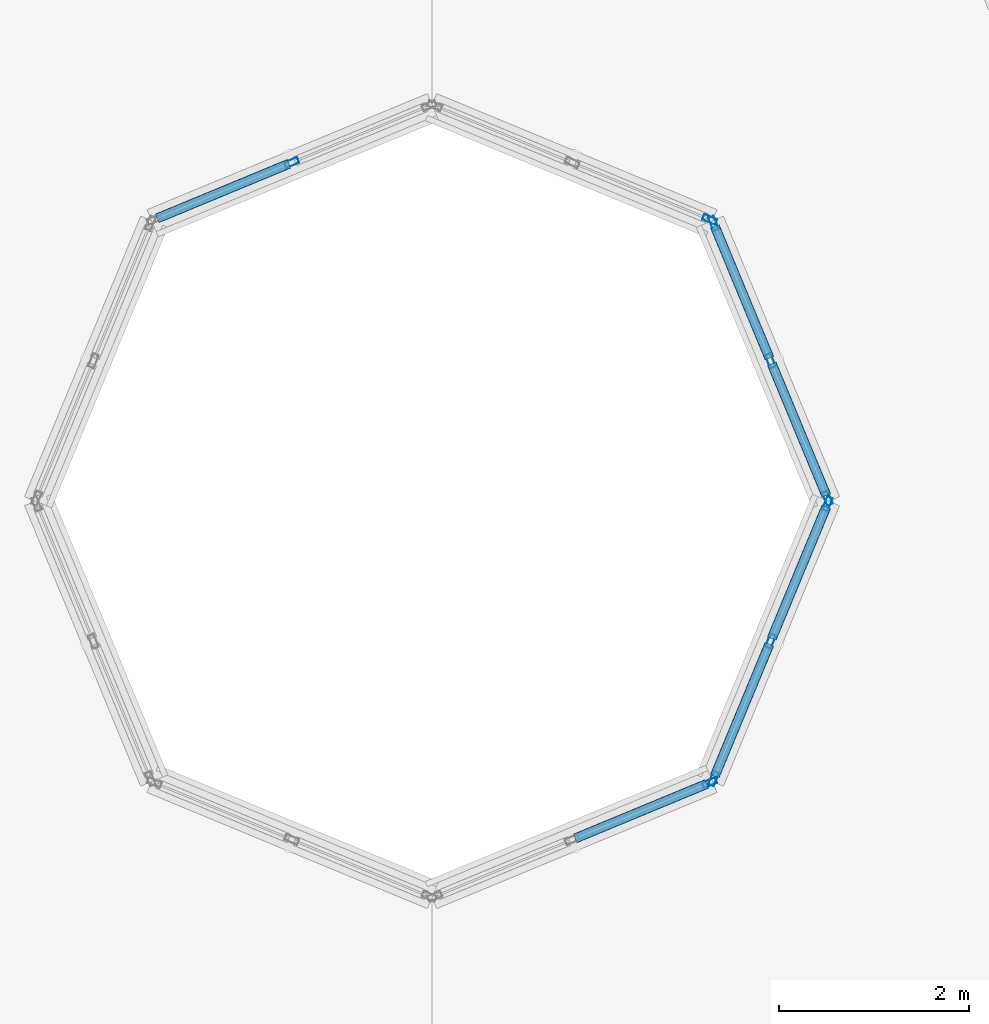
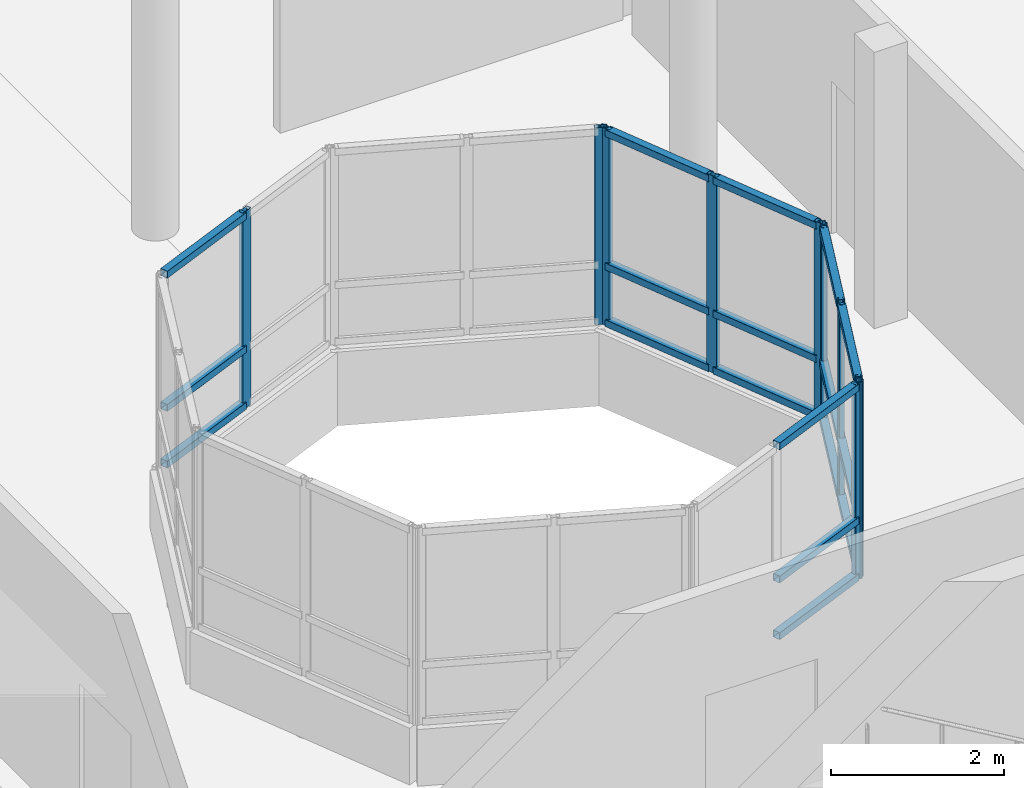
# One storey, part 70 of 121: 27 members, 5 elements without a shape of their own.
"""IFC4 building model written with IfcOpenShell, lengths in metres."""

from ifc_helpers import new_model, si_unit, direction, frame, origin, origin_2d, place, context, subcontext, project, spatial, hollow_rectangle, extrude, material, layer, layer_set, material_profile, profile_set, type_object, element, aggregate, save


model = new_model("IFC4")

# Units and contexts
model_context = context("Model", 3, precision=1e-05, world=origin(), true_north=direction((0.0, 1.0)))
body_context = subcontext(model_context, "Body", "Model", "MODEL_VIEW")
ifc_project = project(units=[si_unit("LENGTHUNIT", "METRE"), si_unit("AREAUNIT", "SQUARE_METRE"), si_unit("VOLUMEUNIT", "CUBIC_METRE"), si_unit("PLANEANGLEUNIT", "RADIAN"), si_unit("MASSUNIT", "GRAM", prefix="KILO")], contexts=[model_context])

# Site, building, storey
site_placement = place(None, origin())
site = spatial("IfcSite", under=ifc_project, at=site_placement, CompositionType="ELEMENT")
building_placement = place(site_placement, origin())
building = spatial("IfcBuilding", under=site, at=building_placement, Name="Vespera Passage Community Centre", CompositionType="ELEMENT")
storey_placement = place(building_placement, frame((0.0, 0.0, 8.699951171875)))
storey = spatial("IfcBuildingStorey", under=building, at=storey_placement, Name="L02", CompositionType="ELEMENT", Elevation=8.699951171875)

# Curtain wall, members
ifc_material_1 = material(Name="Anodized aluminium 6063-T6", Category="aluminium")
ifc_layer = layer(ifc_material_1, 0.159912109375)
ifc_layer_set = layer_set([ifc_layer], Name="Anodized aluminium 6063-T6")
curtain_wall_type = type_object("IfcCurtainWallType", Name="CW-110E", PredefinedType="NOTDEFINED", material=ifc_layer_set)
curtain_wall_1_placement = place(storey_placement, origin())
curtain_wall_1 = element("IfcCurtainWall", 1, at=curtain_wall_1_placement, inside=storey, type_object=curtain_wall_type, Name="V3 L02 Inner Court Ribbon Curtain Wall 1", PredefinedType="NOTDEFINED")
ifc_material_2 = material(Name="Anodized aluminium 6063-T6", Category="aluminium")
ifc_material_profile_1 = material_profile(ifc_material_2, hollow_rectangle(XDim=0.06494140625, YDim=0.14990234375, WallThickness=0.00390625, InnerFilletRadius=0.001953125, OuterFilletRadius=0.00390625, at=origin_2d()), Name="ALU150X65X4")
ifc_profile_set_1 = profile_set([ifc_material_profile_1], Name="Anodized aluminium 6063-T6")
member_type_1 = type_object("IfcMemberType", Name="MB-CWM-150E", PredefinedType="MULLION", material=ifc_profile_set_1)
member_1_placement = place(storey_placement, frame((145.16748046875, 25.030029296875, 0.800048828125), z_axis=(0.0, 0.0, 1.0), x_axis=(-0.923878540804, -0.382685826549, 0.0)))
member_1 = element("IfcMember", 2, at=member_1_placement, type_object=member_type_1, Name="CW-110E mullion 1", PredefinedType="MULLION", context=body_context, shape_type="SweptSolid", body=[
    extrude(hollow_rectangle(XDim=0.06494140625, YDim=0.14990234375, WallThickness=0.00390625, InnerFilletRadius=0.001953125, OuterFilletRadius=0.00390625, at=origin_2d()), origin(), (0.0, 0.0, 1.0), 2.780029296875),
])
member_2_placement = place(storey_placement, frame((144.56787109375, 26.477783203125, 0.800048828125), z_axis=(0.0, 0.0, 1.0), x_axis=(-0.923878540804, -0.382685826549, 0.0)))
member_2 = element("IfcMember", 3, at=member_2_placement, type_object=member_type_1, Name="CW-110E mullion 2", PredefinedType="MULLION", context=body_context, shape_type="SweptSolid", body=[
    extrude(hollow_rectangle(XDim=0.06494140625, YDim=0.14990234375, WallThickness=0.00390625, InnerFilletRadius=0.001953125, OuterFilletRadius=0.00390625, at=origin_2d()), origin(), (0.0, 0.0, 1.0), 2.780029296875),
])
member_3_placement = place(storey_placement, frame((143.968017578125, 27.92578125, 0.800048828125), z_axis=(0.0, 0.0, 1.0), x_axis=(-0.923878540804, -0.382685826549, 0.0)))
member_3 = element("IfcMember", 4, at=member_3_placement, type_object=member_type_1, Name="CW-110E mullion 3", PredefinedType="MULLION", context=body_context, shape_type="SweptSolid", body=[
    extrude(hollow_rectangle(XDim=0.06494140625, YDim=0.14990234375, WallThickness=0.00390625, InnerFilletRadius=0.001953125, OuterFilletRadius=0.00390625, at=origin_2d()), origin(), (0.0, 0.0, 1.0), 2.780029296875),
])

# Curtain wall, member
curtain_wall_2_placement = place(storey_placement, origin())
curtain_wall_2 = element("IfcCurtainWall", 5, at=curtain_wall_2_placement, inside=storey, type_object=curtain_wall_type, Name="V3 L02 Inner Court Ribbon Curtain Wall 2", PredefinedType="NOTDEFINED")
member_4_placement = place(storey_placement, frame((143.92578125, 27.968017578125, 0.800048828125), z_axis=(0.0, 0.0, 1.0), x_axis=(-0.382685826549, -0.923878540804, 0.0)))
member_4 = element("IfcMember", 6, at=member_4_placement, type_object=member_type_1, Name="CW-110E mullion 1", PredefinedType="MULLION", context=body_context, shape_type="SweptSolid", body=[
    extrude(hollow_rectangle(XDim=0.06494140625, YDim=0.14990234375, WallThickness=0.00390625, InnerFilletRadius=0.001953125, OuterFilletRadius=0.00390625, at=origin_2d()), origin(), (0.0, 0.0, 1.0), 2.780029296875),
])
aggregate(curtain_wall_2, [member_4])

curtain_wall_3_placement = place(storey_placement, origin())
curtain_wall_3 = element("IfcCurtainWall", 7, at=curtain_wall_3_placement, inside=storey, type_object=curtain_wall_type, Name="V3 L02 Inner Court Ribbon Curtain Wall 3", PredefinedType="NOTDEFINED")
member_5_placement = place(storey_placement, frame((139.522216796875, 28.56787109375, 0.800048828125), z_axis=(0.0, 0.0, 1.0), x_axis=(0.382685826549, -0.923878540804, 0.0)))
member_5 = element("IfcMember", 8, at=member_5_placement, type_object=member_type_1, Name="CW-110E mullion 2", PredefinedType="MULLION", context=body_context, shape_type="SweptSolid", body=[
    extrude(hollow_rectangle(XDim=0.06494140625, YDim=0.14990234375, WallThickness=0.00390625, InnerFilletRadius=0.001953125, OuterFilletRadius=0.00390625, at=origin_2d()), origin(), (0.0, 0.0, 1.0), 2.780029296875),
])

curtain_wall_4_placement = place(storey_placement, origin())
curtain_wall_4 = element("IfcCurtainWall", 9, at=curtain_wall_4_placement, inside=storey, type_object=curtain_wall_type, Name="V3 L02 Inner Court Ribbon Curtain Wall 7", PredefinedType="NOTDEFINED")
member_6_placement = place(storey_placement, frame((143.92578125, 22.031982421875, 0.800048828125), z_axis=(0.0, 0.0, 1.0), x_axis=(-0.382685826549, 0.923878540804, 0.0)))
member_6 = element("IfcMember", 10, at=member_6_placement, type_object=member_type_1, Name="CW-110E mullion 3", PredefinedType="MULLION", context=body_context, shape_type="SweptSolid", body=[
    extrude(hollow_rectangle(XDim=0.06494140625, YDim=0.14990234375, WallThickness=0.00390625, InnerFilletRadius=0.001953125, OuterFilletRadius=0.00390625, at=origin_2d()), origin(), (0.0, 0.0, 1.0), 2.780029296875),
])

# Curtain wall, members
curtain_wall_5_placement = place(storey_placement, origin())
curtain_wall_5 = element("IfcCurtainWall", 11, at=curtain_wall_5_placement, inside=storey, type_object=curtain_wall_type, Name="V3 L02 Inner Court Ribbon Curtain Wall 8", PredefinedType="NOTDEFINED")
member_7_placement = place(storey_placement, frame((143.968017578125, 22.07421875, 0.800048828125), z_axis=(0.0, 0.0, 1.0), x_axis=(-0.923878540804, 0.382685826549, 0.0)))
member_7 = element("IfcMember", 12, at=member_7_placement, type_object=member_type_1, Name="CW-110E mullion 1", PredefinedType="MULLION", context=body_context, shape_type="SweptSolid", body=[
    extrude(hollow_rectangle(XDim=0.06494140625, YDim=0.14990234375, WallThickness=0.00390625, InnerFilletRadius=0.001953125, OuterFilletRadius=0.00390625, at=origin_2d()), origin(), (0.0, 0.0, 1.0), 2.780029296875),
])
member_8_placement = place(storey_placement, frame((144.56787109375, 23.522216796875, 0.800048828125), z_axis=(0.0, 0.0, 1.0), x_axis=(-0.923878540804, 0.382685826549, 0.0)))
member_8 = element("IfcMember", 13, at=member_8_placement, type_object=member_type_1, Name="CW-110E mullion 2", PredefinedType="MULLION", context=body_context, shape_type="SweptSolid", body=[
    extrude(hollow_rectangle(XDim=0.06494140625, YDim=0.14990234375, WallThickness=0.00390625, InnerFilletRadius=0.001953125, OuterFilletRadius=0.00390625, at=origin_2d()), origin(), (0.0, 0.0, 1.0), 2.780029296875),
])
member_9_placement = place(storey_placement, frame((145.16748046875, 24.969970703125, 0.800048828125), z_axis=(0.0, 0.0, 1.0), x_axis=(-0.923878540804, 0.382685826549, 0.0)))
member_9 = element("IfcMember", 14, at=member_9_placement, type_object=member_type_1, Name="CW-110E mullion 3", PredefinedType="MULLION", context=body_context, shape_type="SweptSolid", body=[
    extrude(hollow_rectangle(XDim=0.06494140625, YDim=0.14990234375, WallThickness=0.00390625, InnerFilletRadius=0.001953125, OuterFilletRadius=0.00390625, at=origin_2d()), origin(), (0.0, 0.0, 1.0), 2.780029296875),
])

# Member
ifc_material_3 = material(Name="Anodized aluminium 6063-T6", Category="aluminium")
ifc_material_profile_2 = material_profile(ifc_material_3, hollow_rectangle(XDim=0.10009765625, YDim=0.10009765625, WallThickness=0.00390625, InnerFilletRadius=0.001953125, OuterFilletRadius=0.00390625, at=origin_2d()), Name="ALU100X100X4")
ifc_profile_set_2 = profile_set([ifc_material_profile_2], Name="Anodized aluminium 6063-T6")
member_type_2 = type_object("IfcMemberType", Name="MB-CWT-100E", PredefinedType="USERDEFINED", material=ifc_profile_set_2)
member_10_placement = place(storey_placement, frame((145.155029296875, 25.06005859375, 0.85009765625), z_axis=(-0.382629338474, 0.923901937079, 0.0), x_axis=(-0.923901937079, -0.382629338474, 0.0)))
member_10 = element("IfcMember", 15, at=member_10_placement, type_object=member_type_2, Name="CW-110E transom 1.1", ObjectType="TRANSOM", PredefinedType="USERDEFINED", context=body_context, shape_type="SweptSolid", body=[
    extrude(hollow_rectangle(XDim=0.10009765625, YDim=0.10009765625, WallThickness=0.00390625, InnerFilletRadius=0.001953125, OuterFilletRadius=0.00390625, at=origin_2d()), origin(), (0.0, 0.0, 1.0), 1.501953125),
])

member_11_placement = place(storey_placement, frame((145.155029296875, 25.06005859375, 1.650146484375), z_axis=(-0.382629338474, 0.923901937079, 0.0), x_axis=(-0.923901937079, -0.382629338474, 0.0)))
member_11 = element("IfcMember", 16, at=member_11_placement, type_object=member_type_2, Name="CW-110E transom 1.2", ObjectType="TRANSOM", PredefinedType="USERDEFINED", context=body_context, shape_type="SweptSolid", body=[
    extrude(hollow_rectangle(XDim=0.10009765625, YDim=0.10009765625, WallThickness=0.00390625, InnerFilletRadius=0.001953125, OuterFilletRadius=0.00390625, at=origin_2d()), origin(), (0.0, 0.0, 1.0), 1.501953125),
])

member_12_placement = place(storey_placement, frame((145.155029296875, 25.06005859375, 3.530029296875), z_axis=(-0.382629338474, 0.923901937079, 0.0), x_axis=(-0.923901937079, -0.382629338474, 0.0)))
member_12 = element("IfcMember", 17, at=member_12_placement, type_object=member_type_2, Name="CW-110E transom 1.3", ObjectType="TRANSOM", PredefinedType="USERDEFINED", context=body_context, shape_type="SweptSolid", body=[
    extrude(hollow_rectangle(XDim=0.10009765625, YDim=0.10009765625, WallThickness=0.00390625, InnerFilletRadius=0.001953125, OuterFilletRadius=0.00390625, at=origin_2d()), origin(), (0.0, 0.0, 1.0), 1.501953125),
])

member_13_placement = place(storey_placement, frame((144.555419921875, 26.5078125, 0.85009765625), z_axis=(-0.382710605355, 0.923868276622, 0.0), x_axis=(-0.923868276622, -0.382710605355, 0.0)))
member_13 = element("IfcMember", 18, at=member_13_placement, type_object=member_type_2, Name="CW-110E transom 2.1", ObjectType="TRANSOM", PredefinedType="USERDEFINED", context=body_context, shape_type="SweptSolid", body=[
    extrude(hollow_rectangle(XDim=0.10009765625, YDim=0.10009765625, WallThickness=0.00390625, InnerFilletRadius=0.001953125, OuterFilletRadius=0.00390625, at=origin_2d()), origin(), (0.0, 0.0, 1.0), 1.502197265625),
])

member_14_placement = place(storey_placement, frame((144.555419921875, 26.5078125, 1.650146484375), z_axis=(-0.382710605355, 0.923868276622, 0.0), x_axis=(-0.923868276622, -0.382710605355, 0.0)))
member_14 = element("IfcMember", 19, at=member_14_placement, type_object=member_type_2, Name="CW-110E transom 2.2", ObjectType="TRANSOM", PredefinedType="USERDEFINED", context=body_context, shape_type="SweptSolid", body=[
    extrude(hollow_rectangle(XDim=0.10009765625, YDim=0.10009765625, WallThickness=0.00390625, InnerFilletRadius=0.001953125, OuterFilletRadius=0.00390625, at=origin_2d()), origin(), (0.0, 0.0, 1.0), 1.502197265625),
])

member_15_placement = place(storey_placement, frame((144.555419921875, 26.5078125, 3.530029296875), z_axis=(-0.382710605355, 0.923868276622, 0.0), x_axis=(-0.923868276622, -0.382710605355, 0.0)))
member_15 = element("IfcMember", 20, at=member_15_placement, type_object=member_type_2, Name="CW-110E transom 2.3", ObjectType="TRANSOM", PredefinedType="USERDEFINED", context=body_context, shape_type="SweptSolid", body=[
    extrude(hollow_rectangle(XDim=0.10009765625, YDim=0.10009765625, WallThickness=0.00390625, InnerFilletRadius=0.001953125, OuterFilletRadius=0.00390625, at=origin_2d()), origin(), (0.0, 0.0, 1.0), 1.502197265625),
])

aggregate(curtain_wall_1, [member_1, member_2, member_3, member_10, member_11, member_12, member_13, member_14, member_15])

member_16_placement = place(storey_placement, frame((139.4921875, 28.555419921875, 0.85009765625), z_axis=(-0.923868276622, -0.382710605355, 0.0), x_axis=(0.382710605355, -0.923868276622, 0.0)))
member_16 = element("IfcMember", 21, at=member_16_placement, type_object=member_type_2, Name="CW-110E transom 2.1", ObjectType="TRANSOM", PredefinedType="USERDEFINED", context=body_context, shape_type="SweptSolid", body=[
    extrude(hollow_rectangle(XDim=0.10009765625, YDim=0.10009765625, WallThickness=0.00390625, InnerFilletRadius=0.001953125, OuterFilletRadius=0.00390625, at=origin_2d()), origin(), (0.0, 0.0, 1.0), 1.502197265625),
])

member_17_placement = place(storey_placement, frame((139.4921875, 28.555419921875, 1.650146484375), z_axis=(-0.923868276622, -0.382710605355, 0.0), x_axis=(0.382710605355, -0.923868276622, 0.0)))
member_17 = element("IfcMember", 22, at=member_17_placement, type_object=member_type_2, Name="CW-110E transom 2.2", ObjectType="TRANSOM", PredefinedType="USERDEFINED", context=body_context, shape_type="SweptSolid", body=[
    extrude(hollow_rectangle(XDim=0.10009765625, YDim=0.10009765625, WallThickness=0.00390625, InnerFilletRadius=0.001953125, OuterFilletRadius=0.00390625, at=origin_2d()), origin(), (0.0, 0.0, 1.0), 1.502197265625),
])

member_18_placement = place(storey_placement, frame((139.4921875, 28.555419921875, 3.530029296875), z_axis=(-0.923868276622, -0.382710605355, 0.0), x_axis=(0.382710605355, -0.923868276622, 0.0)))
member_18 = element("IfcMember", 23, at=member_18_placement, type_object=member_type_2, Name="CW-110E transom 2.3", ObjectType="TRANSOM", PredefinedType="USERDEFINED", context=body_context, shape_type="SweptSolid", body=[
    extrude(hollow_rectangle(XDim=0.10009765625, YDim=0.10009765625, WallThickness=0.00390625, InnerFilletRadius=0.001953125, OuterFilletRadius=0.00390625, at=origin_2d()), origin(), (0.0, 0.0, 1.0), 1.502197265625),
])

aggregate(curtain_wall_3, [member_5, member_16, member_17, member_18])

member_19_placement = place(storey_placement, frame((142.5078125, 21.444580078125, 0.85009765625), z_axis=(0.923868276622, 0.382710605355, 0.0), x_axis=(-0.382710605355, 0.923868276622, 0.0)))
member_19 = element("IfcMember", 24, at=member_19_placement, type_object=member_type_2, Name="CW-110E transom 2.1", ObjectType="TRANSOM", PredefinedType="USERDEFINED", context=body_context, shape_type="SweptSolid", body=[
    extrude(hollow_rectangle(XDim=0.10009765625, YDim=0.10009765625, WallThickness=0.00390625, InnerFilletRadius=0.001953125, OuterFilletRadius=0.00390625, at=origin_2d()), origin(), (0.0, 0.0, 1.0), 1.502197265625),
])

member_20_placement = place(storey_placement, frame((142.5078125, 21.444580078125, 1.650146484375), z_axis=(0.923868276622, 0.382710605355, 0.0), x_axis=(-0.382710605355, 0.923868276622, 0.0)))
member_20 = element("IfcMember", 25, at=member_20_placement, type_object=member_type_2, Name="CW-110E transom 2.2", ObjectType="TRANSOM", PredefinedType="USERDEFINED", context=body_context, shape_type="SweptSolid", body=[
    extrude(hollow_rectangle(XDim=0.10009765625, YDim=0.10009765625, WallThickness=0.00390625, InnerFilletRadius=0.001953125, OuterFilletRadius=0.00390625, at=origin_2d()), origin(), (0.0, 0.0, 1.0), 1.502197265625),
])

member_21_placement = place(storey_placement, frame((142.5078125, 21.444580078125, 3.530029296875), z_axis=(0.923868276622, 0.382710605355, 0.0), x_axis=(-0.382710605355, 0.923868276622, 0.0)))
member_21 = element("IfcMember", 26, at=member_21_placement, type_object=member_type_2, Name="CW-110E transom 2.3", ObjectType="TRANSOM", PredefinedType="USERDEFINED", context=body_context, shape_type="SweptSolid", body=[
    extrude(hollow_rectangle(XDim=0.10009765625, YDim=0.10009765625, WallThickness=0.00390625, InnerFilletRadius=0.001953125, OuterFilletRadius=0.00390625, at=origin_2d()), origin(), (0.0, 0.0, 1.0), 1.502197265625),
])

aggregate(curtain_wall_4, [member_6, member_19, member_20, member_21])

member_22_placement = place(storey_placement, frame((143.98046875, 22.104248046875, 0.85009765625), z_axis=(0.382710605355, 0.923868276622, 0.0), x_axis=(-0.923868276622, 0.382710605355, 0.0)))
member_22 = element("IfcMember", 27, at=member_22_placement, type_object=member_type_2, Name="CW-110E transom 1.1", ObjectType="TRANSOM", PredefinedType="USERDEFINED", context=body_context, shape_type="SweptSolid", body=[
    extrude(hollow_rectangle(XDim=0.10009765625, YDim=0.10009765625, WallThickness=0.00390625, InnerFilletRadius=0.001953125, OuterFilletRadius=0.00390625, at=origin_2d()), origin(), (0.0, 0.0, 1.0), 1.502197265625),
])

member_23_placement = place(storey_placement, frame((143.98046875, 22.104248046875, 1.650146484375), z_axis=(0.382710605355, 0.923868276622, 0.0), x_axis=(-0.923868276622, 0.382710605355, 0.0)))
member_23 = element("IfcMember", 28, at=member_23_placement, type_object=member_type_2, Name="CW-110E transom 1.2", ObjectType="TRANSOM", PredefinedType="USERDEFINED", context=body_context, shape_type="SweptSolid", body=[
    extrude(hollow_rectangle(XDim=0.10009765625, YDim=0.10009765625, WallThickness=0.00390625, InnerFilletRadius=0.001953125, OuterFilletRadius=0.00390625, at=origin_2d()), origin(), (0.0, 0.0, 1.0), 1.502197265625),
])

member_24_placement = place(storey_placement, frame((143.98046875, 22.104248046875, 3.530029296875), z_axis=(0.382710605355, 0.923868276622, 0.0), x_axis=(-0.923868276622, 0.382710605355, 0.0)))
member_24 = element("IfcMember", 29, at=member_24_placement, type_object=member_type_2, Name="CW-110E transom 1.3", ObjectType="TRANSOM", PredefinedType="USERDEFINED", context=body_context, shape_type="SweptSolid", body=[
    extrude(hollow_rectangle(XDim=0.10009765625, YDim=0.10009765625, WallThickness=0.00390625, InnerFilletRadius=0.001953125, OuterFilletRadius=0.00390625, at=origin_2d()), origin(), (0.0, 0.0, 1.0), 1.502197265625),
])

member_25_placement = place(storey_placement, frame((144.580322265625, 23.55224609375, 0.85009765625), z_axis=(0.382629338474, 0.923901937079, 0.0), x_axis=(-0.923901937079, 0.382629338474, 0.0)))
member_25 = element("IfcMember", 30, at=member_25_placement, type_object=member_type_2, Name="CW-110E transom 2.1", ObjectType="TRANSOM", PredefinedType="USERDEFINED", context=body_context, shape_type="SweptSolid", body=[
    extrude(hollow_rectangle(XDim=0.10009765625, YDim=0.10009765625, WallThickness=0.00390625, InnerFilletRadius=0.001953125, OuterFilletRadius=0.00390625, at=origin_2d()), origin(), (0.0, 0.0, 1.0), 1.501953125),
])

member_26_placement = place(storey_placement, frame((144.580322265625, 23.55224609375, 1.650146484375), z_axis=(0.382629338474, 0.923901937079, 0.0), x_axis=(-0.923901937079, 0.382629338474, 0.0)))
member_26 = element("IfcMember", 31, at=member_26_placement, type_object=member_type_2, Name="CW-110E transom 2.2", ObjectType="TRANSOM", PredefinedType="USERDEFINED", context=body_context, shape_type="SweptSolid", body=[
    extrude(hollow_rectangle(XDim=0.10009765625, YDim=0.10009765625, WallThickness=0.00390625, InnerFilletRadius=0.001953125, OuterFilletRadius=0.00390625, at=origin_2d()), origin(), (0.0, 0.0, 1.0), 1.501953125),
])

member_27_placement = place(storey_placement, frame((144.580322265625, 23.55224609375, 3.530029296875), z_axis=(0.382629338474, 0.923901937079, 0.0), x_axis=(-0.923901937079, 0.382629338474, 0.0)))
member_27 = element("IfcMember", 32, at=member_27_placement, type_object=member_type_2, Name="CW-110E transom 2.3", ObjectType="TRANSOM", PredefinedType="USERDEFINED", context=body_context, shape_type="SweptSolid", body=[
    extrude(hollow_rectangle(XDim=0.10009765625, YDim=0.10009765625, WallThickness=0.00390625, InnerFilletRadius=0.001953125, OuterFilletRadius=0.00390625, at=origin_2d()), origin(), (0.0, 0.0, 1.0), 1.501953125),
])

aggregate(curtain_wall_5, [member_7, member_8, member_9, member_22, member_23, member_24, member_25, member_26, member_27])

save(model, "model.ifc")
